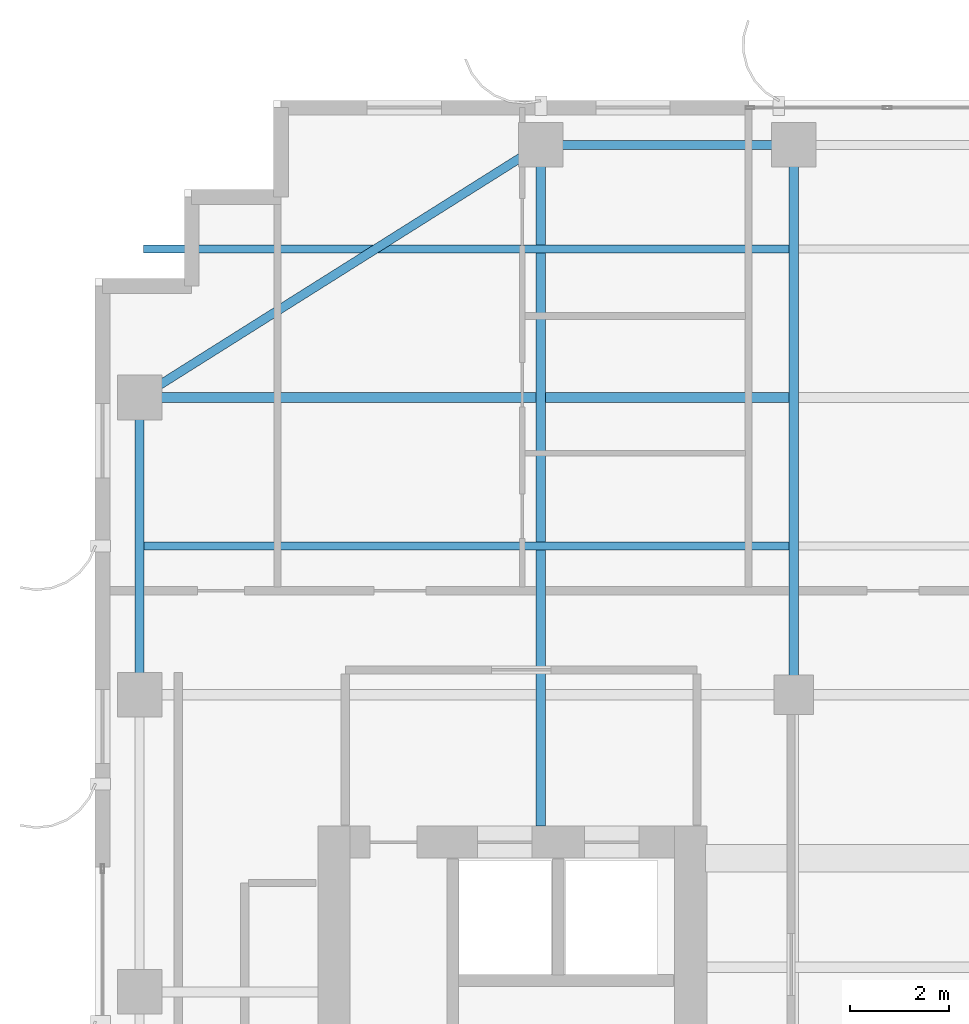
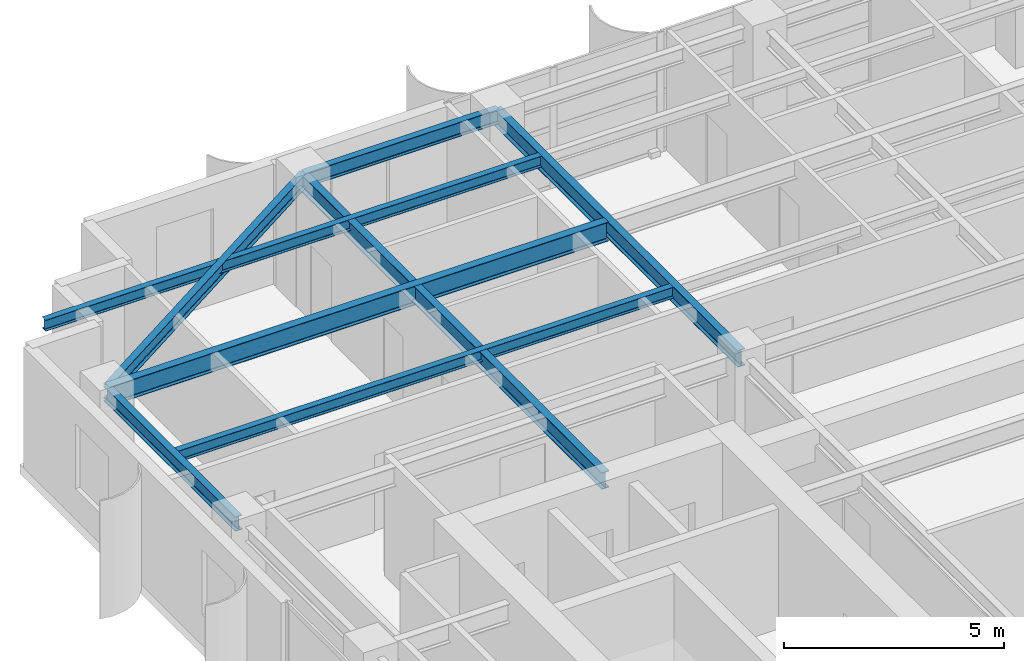
# One storey, part 11 of 22: 8 beams.
"""IFC4 building model written with IfcOpenShell, lengths in metres."""

from ifc_helpers import new_model, si_unit, direction, frame, origin, origin_2d, place, context, subcontext, project, spatial, i_section, extrude, source, transform, mapped, material, material_profile, profile_set, type_object, element, save


model = new_model("IFC4")

# Units and contexts
model_context = context("Model", 3, precision=1e-05, world=origin(), true_north=direction((0.0, 1.0)))
body_context = subcontext(model_context, "Body", "Model", "MODEL_VIEW")
ifc_project = project(units=[si_unit("LENGTHUNIT", "METRE"), si_unit("AREAUNIT", "SQUARE_METRE"), si_unit("VOLUMEUNIT", "CUBIC_METRE"), si_unit("PLANEANGLEUNIT", "RADIAN"), si_unit("MASSUNIT", "GRAM", prefix="KILO")], contexts=[model_context])

# Site, building, storey
site_placement = place(None, origin())
site = spatial("IfcSite", under=ifc_project, at=site_placement, CompositionType="ELEMENT")
building_placement = place(site_placement, origin())
building = spatial("IfcBuilding", under=site, at=building_placement, Name="Khoralis Quay Care Tower", CompositionType="ELEMENT")
storey_placement = place(building_placement, frame((0.0, 0.0, 170.10009765625)))
storey = spatial("IfcBuildingStorey", under=building, at=storey_placement, Name="L44", CompositionType="ELEMENT", Elevation=170.10009765625)

# Beams
ifc_material = material(Name="Steel S355", Category="steel")
ifc_material_profile_1 = material_profile(ifc_material, i_section(OverallWidth=0.179931640625, OverallDepth=0.39990234375, WebThickness=0.008544921875, FlangeThickness=0.013427734375, FilletRadius=0.02099609375, at=origin_2d()), Name="Steel S355")
ifc_profile_set_1 = profile_set([ifc_material_profile_1], Name="Steel S355")
beam_type_1 = type_object("IfcBeamType", Name="BM-IPE400", PredefinedType="SPANDREL", material=ifc_profile_set_1)
shared_shape_1 = source(origin(), body_context, "Body", "SweptSolid", [
    extrude(i_section(OverallWidth=0.179931640625, OverallDepth=0.39990234375, WebThickness=0.008544921875, FlangeThickness=0.013427734375, FilletRadius=0.02099609375, at=origin_2d()), origin(), (0.0, 0.0, 1.0), 6.0),
])
beam_1_placement = place(storey_placement, frame((3.89990234375, 30.0, 3.139892578125), z_axis=(0.0, 1.0, 0.0), x_axis=(-1.0, 0.0, 0.0)))
element("IfcBeam", 1, at=beam_1_placement, inside=storey, type_object=beam_type_1, Name="BM-TSP-L44-13", PredefinedType="SPANDREL", context=body_context, shape_type="MappedRepresentation", body=[
    mapped(shared_shape_1, transform((0.0, 0.0, 0.0), scale=1.0)),
])
shared_shape_2 = source(origin(), body_context, "Body", "SweptSolid", [
    extrude(i_section(OverallWidth=0.179931640625, OverallDepth=0.39990234375, WebThickness=0.008544921875, FlangeThickness=0.013427734375, FilletRadius=0.02099609375, at=origin_2d()), origin(), (0.0, 0.0, 1.0), 5.10009765625),
])
beam_2_placement = place(storey_placement, frame((12.0, 41.10009765625, 3.139892578125), z_axis=(1.0, 0.0, 0.0), x_axis=(0.0, 1.0, 0.0)))
element("IfcBeam", 2, at=beam_2_placement, inside=storey, type_object=beam_type_1, Name="BM-TSP-L44-05", PredefinedType="SPANDREL", context=body_context, shape_type="MappedRepresentation", body=[
    mapped(shared_shape_2, transform((0.0, 0.0, 0.0), scale=1.0)),
])
shared_shape_3 = source(origin(), body_context, "Body", "SweptSolid", [
    extrude(i_section(OverallWidth=0.179931640625, OverallDepth=0.39990234375, WebThickness=0.008544921875, FlangeThickness=0.013427734375, FilletRadius=0.02099609375, at=origin_2d()), origin(), (0.0, 0.0, 1.0), 9.572021484375),
])
beam_3_placement = place(storey_placement, frame((12.0, 41.10009765625, 3.139892578125), z_axis=(-0.846231136359, -0.532815975602, 0.0), x_axis=(0.532815975602, -0.846231136359, 0.0)))
element("IfcBeam", 3, at=beam_3_placement, inside=storey, type_object=beam_type_1, Name="BM-TCR-L44-21", PredefinedType="SPANDREL", context=body_context, shape_type="MappedRepresentation", body=[
    mapped(shared_shape_3, transform((0.0, 0.0, 0.0), scale=1.0)),
])
ifc_material_profile_2 = material_profile(ifc_material, i_section(OverallWidth=0.208984375, OverallDepth=0.532958984375, WebThickness=0.01025390625, FlangeThickness=0.015625, FilletRadius=0.01611328125, at=origin_2d()), Name="Steel S355")
ifc_profile_set_2 = profile_set([ifc_material_profile_2], Name="Steel S355")
beam_type_2 = type_object("IfcBeamType", Name="BM-W530X92", PredefinedType="BEAM", material=ifc_profile_set_2)
shared_shape_4 = source(origin(), body_context, "Body", "SweptSolid", [
    extrude(i_section(OverallWidth=0.208984375, OverallDepth=0.532958984375, WebThickness=0.01025390625, FlangeThickness=0.015625, FilletRadius=0.01611328125, at=origin_2d()), origin(), (0.0, 0.0, 1.0), 13.1162109375),
])
beam_4_placement = place(storey_placement, frame((3.89990234375, 36.0, 3.073486328125), z_axis=(1.0, 0.0, 0.0), x_axis=(0.0, 1.0, 0.0)))
element("IfcBeam", 4, at=beam_4_placement, inside=storey, type_object=beam_type_2, Name="BM-TGXW-L44-360", PredefinedType="BEAM", context=body_context, shape_type="MappedRepresentation", body=[
    mapped(shared_shape_4, transform((0.0, 0.0, 0.0), scale=1.0)),
])
ifc_material_profile_3 = material_profile(ifc_material, i_section(OverallWidth=0.19189453125, OverallDepth=0.462890625, WebThickness=0.010498046875, FlangeThickness=0.017578125, FilletRadius=0.014892578125, at=origin_2d()), Name="Steel S355")
ifc_profile_set_3 = profile_set([ifc_material_profile_3], Name="Steel S355")
beam_type_3 = type_object("IfcBeamType", Name="BM-W460X89", PredefinedType="BEAM", material=ifc_profile_set_3)
shared_shape_5 = source(origin(), body_context, "Body", "SweptSolid", [
    extrude(i_section(OverallWidth=0.19189453125, OverallDepth=0.462890625, WebThickness=0.010498046875, FlangeThickness=0.017578125, FilletRadius=0.014892578125, at=origin_2d()), origin(), (0.0, 0.0, 1.0), 11.10009765625),
])
beam_5_placement = place(storey_placement, frame((17.10009765625, 30.0, 3.1083984375), z_axis=(0.0, 1.0, 0.0), x_axis=(-1.0, 0.0, 0.0)))
element("IfcBeam", 5, at=beam_5_placement, inside=storey, type_object=beam_type_3, Name="BM-TGYN-L44-171", PredefinedType="BEAM", context=body_context, shape_type="MappedRepresentation", body=[
    mapped(shared_shape_5, transform((0.0, 0.0, 0.0), scale=1.0)),
])
shared_shape_6 = source(origin(), body_context, "Body", "SweptSolid", [
    extrude(i_section(OverallWidth=0.19189453125, OverallDepth=0.462890625, WebThickness=0.010498046875, FlangeThickness=0.017578125, FilletRadius=0.014892578125, at=origin_2d()), origin(), (0.0, 0.0, 1.0), 13.752197265625),
])
beam_6_placement = place(storey_placement, frame((12.0, 27.347900390625, 3.1083984375), z_axis=(0.0, 1.0, 0.0), x_axis=(-1.0, 0.0, 0.0)))
element("IfcBeam", 6, at=beam_6_placement, inside=storey, type_object=beam_type_3, Name="BM-TGYN-L44-120", PredefinedType="BEAM", context=body_context, shape_type="MappedRepresentation", body=[
    mapped(shared_shape_6, transform((0.0, 0.0, 0.0), scale=1.0)),
])
ifc_material_profile_4 = material_profile(ifc_material, i_section(OverallWidth=0.1650390625, OverallDepth=0.31005859375, WebThickness=0.005859375, FlangeThickness=0.009765625, FilletRadius=0.011962890625, at=origin_2d()), Name="Steel S355")
ifc_profile_set_4 = profile_set([ifc_material_profile_4], Name="Steel S355")
beam_type_4 = type_object("IfcBeamType", Name="BM-W310X39", PredefinedType="JOIST", material=ifc_profile_set_4)
shared_shape_7 = source(origin(), body_context, "Body", "SweptSolid", [
    extrude(i_section(OverallWidth=0.1650390625, OverallDepth=0.31005859375, WebThickness=0.005859375, FlangeThickness=0.009765625, FilletRadius=0.011962890625, at=origin_2d()), origin(), (0.0, 0.0, 1.0), 13.0400390625),
])
for number, where, z_axis, x_axis, name in (
    (7, (3.97607421875, 33.0, 3.184814453125), (1.0, 0.0, 0.0), (0.0, 1.0, 0.0), "BM-TJS-L44-26"),
    (8, (3.97607421875, 39.0, 3.184814453125), (1.0, 0.0, 0.0), (0.0, 1.0, 0.0), "BM-TJS-L44-29"),
):
    element("IfcBeam", number, at=place(storey_placement, frame(where, z_axis=z_axis, x_axis=x_axis)), inside=storey, type_object=beam_type_4, Name=name, PredefinedType="JOIST", context=body_context, shape_type="MappedRepresentation", body=[
        mapped(shared_shape_7, transform((0.0, 0.0, 0.0), scale=1.0)),
    ])

save(model, "model.ifc")
